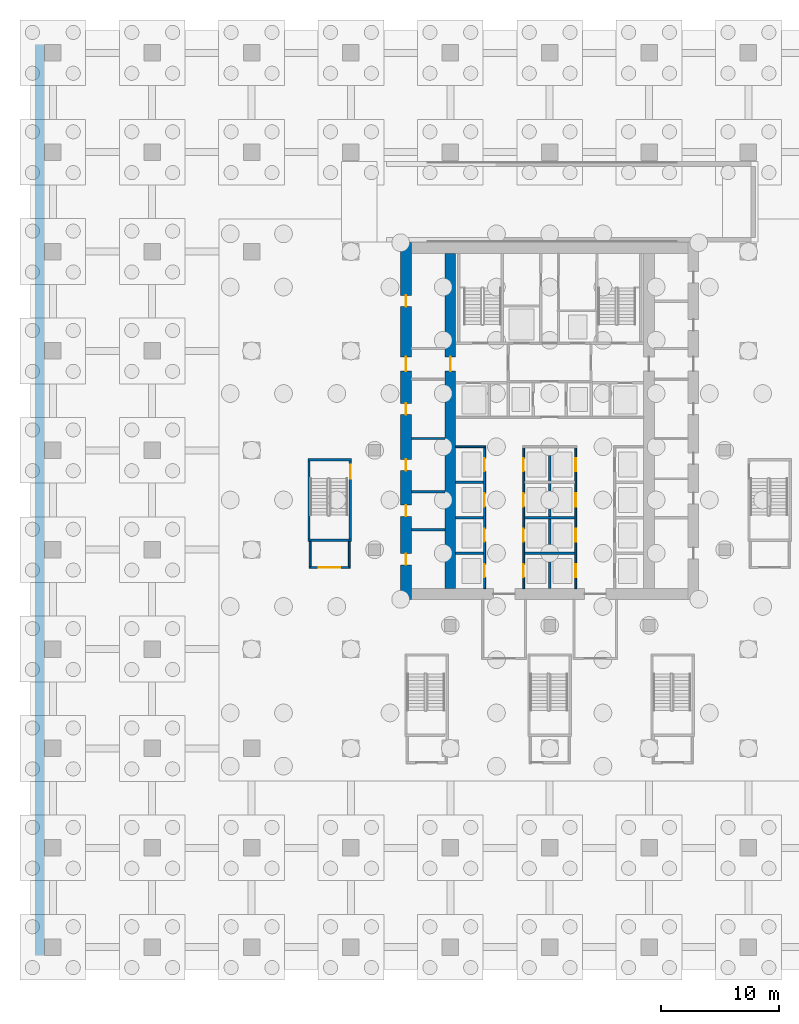
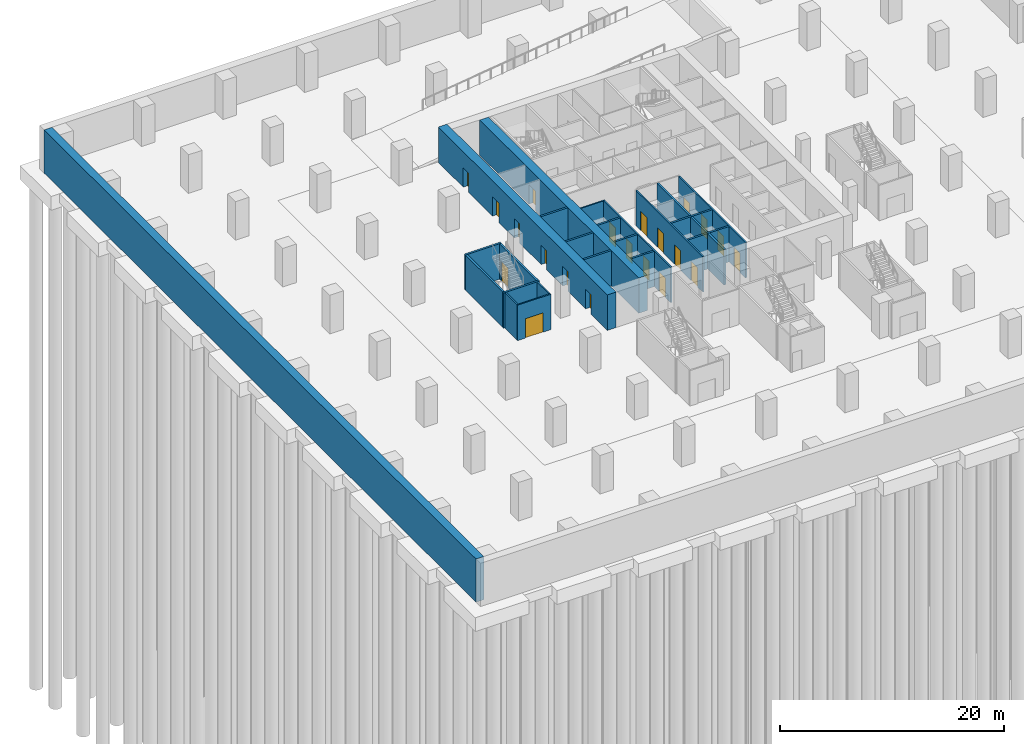
# One storey, part 10 of 22: 23 walls, 21 doors, 21 openings.
"""IFC4 building model written with IfcOpenShell, lengths in metres."""

from ifc_helpers import new_model, si_unit, direction, frame, frame_2d, origin, place, context, subcontext, project, spatial, rectangle, extrude, material, layer, layer_set, type_object, element, fill, save


model = new_model("IFC4")

# Units and contexts
model_context = context("Model", 3, precision=1e-05, world=origin(), true_north=direction((0.0, 1.0)))
body_context = subcontext(model_context, "Body", "Model", "MODEL_VIEW")
ifc_project = project(units=[si_unit("LENGTHUNIT", "METRE"), si_unit("AREAUNIT", "SQUARE_METRE"), si_unit("VOLUMEUNIT", "CUBIC_METRE"), si_unit("PLANEANGLEUNIT", "RADIAN"), si_unit("MASSUNIT", "GRAM", prefix="KILO")], contexts=[model_context])

# Site, building, storey
site_placement = place(None, origin())
site = spatial("IfcSite", under=ifc_project, at=site_placement, CompositionType="ELEMENT")
building_placement = place(site_placement, origin())
building = spatial("IfcBuilding", under=site, at=building_placement, Name="Vermilion Ogive Tower", CompositionType="ELEMENT")
storey_placement = place(building_placement, frame((0.0, 0.0, -8.39990234375)))
storey = spatial("IfcBuildingStorey", under=building, at=storey_placement, Name="B2", CompositionType="ELEMENT", Elevation=-8.39990234375)

# Wall
ifc_material_1 = material(Name="Concrete B45", Category="concrete")
ifc_layer_1 = layer(ifc_material_1, 0.800048828125)
ifc_layer_set_1 = layer_set([ifc_layer_1], Name="Basement wall RW800")
wall_type_1 = type_object("IfcWallType", Name="Basement wall RW800", PredefinedType="SOLIDWALL", material=ifc_layer_set_1)
wall_1_placement = place(storey_placement, frame((-43.10009765625, -38.5, -0.5), z_axis=(0.0, 0.0, 1.0), x_axis=(0.0, 1.0, 0.0)))
element("IfcWall", 1, at=wall_1_placement, inside=storey, type_object=wall_type_1, Name="Retaining wall B2 W", PredefinedType="SOLIDWALL", context=body_context, shape_type="SweptSolid", body=[
    extrude(rectangle(XDim=77.0, YDim=0.800048828125, at=frame_2d((38.5, 0.0))), origin(), (0.0, 0.0, 1.0), 4.699951171875),
])

# Wall, openings, doors
ifc_material_2 = material(Name="Concrete B80", Category="concrete")
ifc_layer_2 = layer(ifc_material_2, 0.89990234375)
ifc_layer_set_2 = layer_set([ifc_layer_2], Name="Core wall 900 B80")
wall_type_2 = type_object("IfcWallType", Name="Core wall 900 B80", PredefinedType="SHEAR", material=ifc_layer_set_2)
wall_2_placement = place(storey_placement, frame((-12.14990234375, -8.39990234375, 0.0), z_axis=(0.0, 0.0, 1.0), x_axis=(0.0, 1.0, 0.0)))
wall_2 = element("IfcWall", 2, at=wall_2_placement, inside=storey, type_object=wall_type_2, Name="B2-CORE-W", PredefinedType="SHEAR", context=body_context, shape_type="SweptSolid", body=[
    extrude(rectangle(XDim=30.14990234375, YDim=0.89990234375, at=frame_2d((15.074951171875, 0.0))), origin(), (0.0, 0.0, 1.0), 3.849853515625),
])
opening_1_placement = place(wall_2_placement, frame((2.925048828125, 0.0, 0.0)))
opening_1 = element("IfcOpeningElement", 3, at=opening_1_placement, cuts=wall_2, Name="Opening DAV007", PredefinedType="OPENING", context=body_context, shape_type="SweptSolid", body=[
    extrude(rectangle(XDim=0.949951171875, YDim=2.10009765625, at=frame_2d((0.47509765625, 1.050048828125))), frame((0.0, 0.4599609375, 0.0), z_axis=(0.0, -1.0, 0.0), x_axis=(1.0, 0.0, 0.0)), (0.0, 0.0, 1.0), 0.919921875),
])
opening_2_placement = place(wall_2_placement, frame((7.02490234375, 0.0, 0.0)))
opening_2 = element("IfcOpeningElement", 4, at=opening_2_placement, cuts=wall_2, Name="Opening DAV008", PredefinedType="OPENING", context=body_context, shape_type="SweptSolid", body=[
    extrude(rectangle(XDim=0.949951171875, YDim=2.10009765625, at=frame_2d((0.47509765625, 1.050048828125))), frame((0.0, 0.4599609375, 0.0), z_axis=(0.0, -1.0, 0.0), x_axis=(1.0, 0.0, 0.0)), (0.0, 0.0, 1.0), 0.919921875),
])
opening_3_placement = place(wall_2_placement, frame((10.875, 0.0, 0.0)))
opening_3 = element("IfcOpeningElement", 5, at=opening_3_placement, cuts=wall_2, Name="Opening DAV009", PredefinedType="OPENING", context=body_context, shape_type="SweptSolid", body=[
    extrude(rectangle(XDim=0.949951171875, YDim=2.10009765625, at=frame_2d((0.47509765625, 1.050048828125))), frame((0.0, 0.4599609375, 0.0), z_axis=(0.0, -1.0, 0.0), x_axis=(1.0, 0.0, 0.0)), (0.0, 0.0, 1.0), 0.919921875),
])
opening_4_placement = place(wall_2_placement, frame((15.625, 0.0, 0.0)))
opening_4 = element("IfcOpeningElement", 6, at=opening_4_placement, cuts=wall_2, Name="Opening DAV010", PredefinedType="OPENING", context=body_context, shape_type="SweptSolid", body=[
    extrude(rectangle(XDim=0.949951171875, YDim=2.10009765625, at=frame_2d((0.47509765625, 1.050048828125))), frame((0.0, 0.4599609375, 0.0), z_axis=(0.0, -1.0, 0.0), x_axis=(1.0, 0.0, 0.0)), (0.0, 0.0, 1.0), 0.919921875),
])
opening_5_placement = place(wall_2_placement, frame((24.75, 0.0, 0.0)))
opening_5 = element("IfcOpeningElement", 7, at=opening_5_placement, cuts=wall_2, Name="Opening DAV011", PredefinedType="OPENING", context=body_context, shape_type="SweptSolid", body=[
    extrude(rectangle(XDim=0.949951171875, YDim=2.10009765625, at=frame_2d((0.47509765625, 1.050048828125))), frame((0.0, 0.4599609375, 0.0), z_axis=(0.0, -1.0, 0.0), x_axis=(1.0, 0.0, 0.0)), (0.0, 0.0, 1.0), 0.919921875),
])
opening_6_placement = place(wall_2_placement, frame((19.300048828125, 0.0, 0.0)))
opening_6 = element("IfcOpeningElement", 8, at=opening_6_placement, cuts=wall_2, Name="Opening DBO002", PredefinedType="OPENING", context=body_context, shape_type="SweptSolid", body=[
    extrude(rectangle(XDim=1.199951171875, YDim=2.10009765625, at=frame_2d((0.60009765625, 1.050048828125))), frame((0.0, 0.4599609375, 0.0), z_axis=(0.0, -1.0, 0.0), x_axis=(1.0, 0.0, 0.0)), (0.0, 0.0, 1.0), 0.919921875),
])
ifc_material_3 = material(Name="Timber door leaf", Category="wood")
door_type_1 = type_object("IfcDoorType", Name="Link door 1200 x 2100 FD60S", OperationType="SINGLE_SWING_LEFT", PredefinedType="DOOR", material=ifc_material_3)
door_1_placement = place(opening_6_placement, origin())
door_1 = element("IfcDoor", 9, at=door_1_placement, inside=storey, type_object=door_type_1, Name="B2-CKW-XL", OperationType="SINGLE_SWING_LEFT", OverallHeight=2.10009765625, OverallWidth=1.199951171875, PredefinedType="DOOR", context=body_context, shape_type="SweptSolid", body=[
    extrude(rectangle(XDim=1.199951171875, YDim=2.10009765625, at=frame_2d((0.60009765625, 1.050048828125))), frame((0.0, 0.02490234375, 0.0), z_axis=(0.0, -1.0, 0.0), x_axis=(1.0, 0.0, 0.0)), (0.0, 0.0, 1.0), 0.050048828125),
])
fill(opening_6, door_1)
ifc_material_4 = material(Name="Timber door leaf", Category="wood")
door_type_2 = type_object("IfcDoorType", Name="Service door 950 x 2100 FD60", OperationType="SINGLE_SWING_LEFT", PredefinedType="DOOR", material=ifc_material_4)
door_2_placement = place(opening_1_placement, origin())
door_2 = element("IfcDoor", 10, at=door_2_placement, inside=storey, type_object=door_type_2, Name="B2-CKW-XR0", OperationType="SINGLE_SWING_LEFT", OverallHeight=2.10009765625, OverallWidth=0.949951171875, PredefinedType="DOOR", context=body_context, shape_type="SweptSolid", body=[
    extrude(rectangle(XDim=0.949951171875, YDim=2.10009765625, at=frame_2d((0.47509765625, 1.050048828125))), frame((0.0, 0.02490234375, 0.0), z_axis=(0.0, -1.0, 0.0), x_axis=(1.0, 0.0, 0.0)), (0.0, 0.0, 1.0), 0.050048828125),
])
fill(opening_1, door_2)
door_3_placement = place(opening_2_placement, origin())
door_3 = element("IfcDoor", 11, at=door_3_placement, inside=storey, type_object=door_type_2, Name="B2-CKW-XR1", OperationType="SINGLE_SWING_LEFT", OverallHeight=2.10009765625, OverallWidth=0.949951171875, PredefinedType="DOOR", context=body_context, shape_type="SweptSolid", body=[
    extrude(rectangle(XDim=0.949951171875, YDim=2.10009765625, at=frame_2d((0.47509765625, 1.050048828125))), frame((0.0, 0.02490234375, 0.0), z_axis=(0.0, -1.0, 0.0), x_axis=(1.0, 0.0, 0.0)), (0.0, 0.0, 1.0), 0.050048828125),
])
fill(opening_2, door_3)
door_4_placement = place(opening_3_placement, origin())
door_4 = element("IfcDoor", 12, at=door_4_placement, inside=storey, type_object=door_type_2, Name="B2-CKW-XR2", OperationType="SINGLE_SWING_LEFT", OverallHeight=2.10009765625, OverallWidth=0.949951171875, PredefinedType="DOOR", context=body_context, shape_type="SweptSolid", body=[
    extrude(rectangle(XDim=0.949951171875, YDim=2.10009765625, at=frame_2d((0.47509765625, 1.050048828125))), frame((0.0, 0.02490234375, 0.0), z_axis=(0.0, -1.0, 0.0), x_axis=(1.0, 0.0, 0.0)), (0.0, 0.0, 1.0), 0.050048828125),
])
fill(opening_3, door_4)
door_5_placement = place(opening_4_placement, origin())
door_5 = element("IfcDoor", 13, at=door_5_placement, inside=storey, type_object=door_type_2, Name="B2-CKW-XR3", OperationType="SINGLE_SWING_LEFT", OverallHeight=2.10009765625, OverallWidth=0.949951171875, PredefinedType="DOOR", context=body_context, shape_type="SweptSolid", body=[
    extrude(rectangle(XDim=0.949951171875, YDim=2.10009765625, at=frame_2d((0.47509765625, 1.050048828125))), frame((0.0, 0.02490234375, 0.0), z_axis=(0.0, -1.0, 0.0), x_axis=(1.0, 0.0, 0.0)), (0.0, 0.0, 1.0), 0.050048828125),
])
fill(opening_4, door_5)
door_6_placement = place(opening_5_placement, origin())
door_6 = element("IfcDoor", 14, at=door_6_placement, inside=storey, type_object=door_type_2, Name="B2-CKW-XR4", OperationType="SINGLE_SWING_LEFT", OverallHeight=2.10009765625, OverallWidth=0.949951171875, PredefinedType="DOOR", context=body_context, shape_type="SweptSolid", body=[
    extrude(rectangle(XDim=0.949951171875, YDim=2.10009765625, at=frame_2d((0.47509765625, 1.050048828125))), frame((0.0, 0.02490234375, 0.0), z_axis=(0.0, -1.0, 0.0), x_axis=(1.0, 0.0, 0.0)), (0.0, 0.0, 1.0), 0.050048828125),
])
fill(opening_5, door_6)

# Wall, opening, door
wall_3_placement = place(storey_placement, frame((-8.39990234375, -7.5, 0.0), z_axis=(0.0, 0.0, 1.0), x_axis=(0.0, 1.0, 0.0)))
wall_3 = element("IfcWall", 15, at=wall_3_placement, inside=storey, type_object=wall_type_2, Name="B2-CORE-WEB1", PredefinedType="SHEAR", context=body_context, shape_type="SweptSolid", body=[
    extrude(rectangle(XDim=28.35009765625, YDim=0.89990234375, at=frame_2d((14.175048828125, 0.0))), origin(), (0.0, 0.0, 1.0), 3.849853515625),
])
opening_7_placement = place(wall_3_placement, frame((18.39990234375, 0.0, 0.0)))
opening_7 = element("IfcOpeningElement", 16, at=opening_7_placement, cuts=wall_3, Name="Opening DBQ002", PredefinedType="OPENING", context=body_context, shape_type="SweptSolid", body=[
    extrude(rectangle(XDim=1.199951171875, YDim=2.10009765625, at=frame_2d((0.60009765625, 1.050048828125))), frame((0.0, 0.4599609375, 0.0), z_axis=(0.0, -1.0, 0.0), x_axis=(1.0, 0.0, 0.0)), (0.0, 0.0, 1.0), 0.919921875),
])
door_7_placement = place(opening_7_placement, origin())
door_7 = element("IfcDoor", 17, at=door_7_placement, inside=storey, type_object=door_type_1, Name="B2-CKW-XW", OperationType="SINGLE_SWING_LEFT", OverallHeight=2.10009765625, OverallWidth=1.199951171875, PredefinedType="DOOR", context=body_context, shape_type="SweptSolid", body=[
    extrude(rectangle(XDim=1.199951171875, YDim=2.10009765625, at=frame_2d((0.60009765625, 1.050048828125))), frame((0.0, 0.02490234375, 0.0), z_axis=(0.0, -1.0, 0.0), x_axis=(1.0, 0.0, 0.0)), (0.0, 0.0, 1.0), 0.050048828125),
])
fill(opening_7, door_7)

ifc_material_5 = material(Name="Gypsum board partition on steel studs", Category="steel")
ifc_layer_3 = layer(ifc_material_5, 0.14990234375)
ifc_layer_set_3 = layer_set([ifc_layer_3], Name="Partition 150 corridor")
wall_type_3 = type_object("IfcWallType", Name="Partition 150 corridor", PredefinedType="PARTITIONING", material=ifc_layer_set_3)
wall_4_placement = place(storey_placement, frame((-20.324951171875, -5.699951171875, 0.0), z_axis=(0.0, 0.0, 1.0), x_axis=(1.0, 0.0, 0.0)))
wall_4 = element("IfcWall", 18, at=wall_4_placement, inside=storey, type_object=wall_type_3, Name="B2-PK-W-W017", PredefinedType="PARTITIONING", context=body_context, shape_type="SweptSolid", body=[
    extrude(rectangle(XDim=3.449951171875, YDim=0.14990234375, at=frame_2d((1.72509765625, 0.0))), origin(), (0.0, 0.0, 1.0), 3.849853515625),
])
opening_8_placement = place(wall_4_placement, frame((0.824951171875, 0.0, 0.0)))
opening_8 = element("IfcOpeningElement", 19, at=opening_8_placement, cuts=wall_4, Name="Opening PK2-07", PredefinedType="OPENING", context=body_context, shape_type="SweptSolid", body=[
    extrude(rectangle(XDim=1.800048828125, YDim=2.10009765625, at=frame_2d((0.89990234375, 1.050048828125))), frame((0.0, 0.0849609375, 0.0), z_axis=(0.0, -1.0, 0.0), x_axis=(1.0, 0.0, 0.0)), (0.0, 0.0, 1.0), 0.169921875),
])
ifc_material_6 = material(Name="Timber door leaf", Category="wood")
door_type_3 = type_object("IfcDoorType", Name="Lobby door 1800 x 2100 FD60S", OperationType="DOUBLE_DOOR_SINGLE_SWING", PredefinedType="DOOR", material=ifc_material_6)
door_8_placement = place(opening_8_placement, origin())
door_8 = element("IfcDoor", 20, at=door_8_placement, inside=storey, type_object=door_type_3, Name="B2-PK-D-D007", OperationType="DOUBLE_DOOR_SINGLE_SWING", OverallHeight=2.10009765625, OverallWidth=1.800048828125, PredefinedType="DOOR", context=body_context, shape_type="SweptSolid", body=[
    extrude(rectangle(XDim=1.800048828125, YDim=2.10009765625, at=frame_2d((0.89990234375, 1.050048828125))), frame((0.0, 0.02490234375, 0.0), z_axis=(0.0, -1.0, 0.0), x_axis=(1.0, 0.0, 0.0)), (0.0, 0.0, 1.0), 0.050048828125),
])
fill(opening_8, door_8)

# Walls
for number, where, z_axis, x_axis, name in (
    (21, (-20.25, -5.625, 0.0), (0.0, 0.0, 1.0), (0.0, 1.0, 0.0), "B2-PK-W-W037"),
    (22, (-16.949951171875, -5.625, 0.0), (0.0, 0.0, 1.0), (0.0, 1.0, 0.0), "B2-PK-W-W038"),
):
    element("IfcWall", number, at=place(storey_placement, frame(where, z_axis=z_axis, x_axis=x_axis)), inside=storey, type_object=wall_type_3, Name=name, PredefinedType="PARTITIONING", context=body_context, shape_type="SweptSolid", body=[
        extrude(rectangle(XDim=2.125, YDim=0.14990234375, at=frame_2d((1.0625, 0.0))), origin(), (0.0, 0.0, 1.0), 3.849853515625),
    ])
wall_5_placement = place(storey_placement, frame((-7.948974609375, 4.5, 0.0), z_axis=(0.0, 0.0, 1.0), x_axis=(1.0, 0.0, 0.0)))
element("IfcWall", 23, at=wall_5_placement, inside=storey, type_object=wall_type_3, Name="B2-CK-W-W010", PredefinedType="PARTITIONING", context=body_context, shape_type="SweptSolid", body=[
    extrude(rectangle(XDim=2.52392578125, YDim=0.14990234375, at=frame_2d((1.261962890625, 0.0))), origin(), (0.0, 0.0, 1.0), 3.849853515625),
])

# Wall, openings, doors
wall_6_placement = place(storey_placement, frame((-5.5, -7.4990234375, 0.0), z_axis=(0.0, 0.0, 1.0), x_axis=(0.0, 1.0, 0.0)))
wall_6 = element("IfcWall", 24, at=wall_6_placement, inside=storey, type_object=wall_type_3, Name="B2-CK-W-W022", PredefinedType="PARTITIONING", context=body_context, shape_type="SweptSolid", body=[
    extrude(rectangle(XDim=11.924072265625, YDim=0.14990234375, at=frame_2d((5.9619140625, 0.0))), origin(), (0.0, 0.0, 1.0), 3.849853515625),
])
opening_9_placement = place(wall_6_placement, frame((0.948974609375, 0.0, 0.0)))
opening_9 = element("IfcOpeningElement", 25, at=opening_9_placement, cuts=wall_6, Name="Opening DAG039", PredefinedType="OPENING", context=body_context, shape_type="SweptSolid", body=[
    extrude(rectangle(XDim=1.10009765625, YDim=2.10009765625, at=frame_2d((0.550048828125, 1.050048828125))), frame((0.0, 0.0849609375, 0.0), z_axis=(0.0, -1.0, 0.0), x_axis=(1.0, 0.0, 0.0)), (0.0, 0.0, 1.0), 0.169921875),
])
opening_10_placement = place(wall_6_placement, frame((3.948974609375, 0.0, 0.0)))
opening_10 = element("IfcOpeningElement", 26, at=opening_10_placement, cuts=wall_6, Name="Opening DAG050", PredefinedType="OPENING", context=body_context, shape_type="SweptSolid", body=[
    extrude(rectangle(XDim=1.10009765625, YDim=2.10009765625, at=frame_2d((0.550048828125, 1.050048828125))), frame((0.0, 0.0849609375, 0.0), z_axis=(0.0, -1.0, 0.0), x_axis=(1.0, 0.0, 0.0)), (0.0, 0.0, 1.0), 0.169921875),
])
opening_11_placement = place(wall_6_placement, frame((6.948974609375, 0.0, 0.0)))
opening_11 = element("IfcOpeningElement", 27, at=opening_11_placement, cuts=wall_6, Name="Opening DAG053", PredefinedType="OPENING", context=body_context, shape_type="SweptSolid", body=[
    extrude(rectangle(XDim=1.10009765625, YDim=2.10009765625, at=frame_2d((0.550048828125, 1.050048828125))), frame((0.0, 0.0849609375, 0.0), z_axis=(0.0, -1.0, 0.0), x_axis=(1.0, 0.0, 0.0)), (0.0, 0.0, 1.0), 0.169921875),
])
opening_12_placement = place(wall_6_placement, frame((9.948974609375, 0.0, 0.0)))
opening_12 = element("IfcOpeningElement", 28, at=opening_12_placement, cuts=wall_6, Name="Opening DAG054", PredefinedType="OPENING", context=body_context, shape_type="SweptSolid", body=[
    extrude(rectangle(XDim=1.10009765625, YDim=2.10009765625, at=frame_2d((0.550048828125, 1.050048828125))), frame((0.0, 0.0849609375, 0.0), z_axis=(0.0, -1.0, 0.0), x_axis=(1.0, 0.0, 0.0)), (0.0, 0.0, 1.0), 0.169921875),
])
ifc_material_7 = material(Name="Stainless steel", Category="steel")
door_type_4 = type_object("IfcDoorType", Name="Lift landing door 1100 x 2100", OperationType="SLIDING_TO_LEFT", PredefinedType="DOOR", material=ifc_material_7)
door_9_placement = place(opening_9_placement, origin())
door_9 = element("IfcDoor", 29, at=door_9_placement, inside=storey, type_object=door_type_4, Name="B2-CK-D-D001", OperationType="SLIDING_TO_RIGHT", OverallHeight=2.10009765625, OverallWidth=1.10009765625, PredefinedType="DOOR", context=body_context, shape_type="SweptSolid", body=[
    extrude(rectangle(XDim=1.10009765625, YDim=2.10009765625, at=frame_2d((0.550048828125, 1.050048828125))), frame((0.0, 0.02490234375, 0.0), z_axis=(0.0, -1.0, 0.0), x_axis=(1.0, 0.0, 0.0)), (0.0, 0.0, 1.0), 0.050048828125),
])
fill(opening_9, door_9)
door_10_placement = place(opening_10_placement, origin())
door_10 = element("IfcDoor", 30, at=door_10_placement, inside=storey, type_object=door_type_4, Name="B2-CK-D-D002", OperationType="SLIDING_TO_RIGHT", OverallHeight=2.10009765625, OverallWidth=1.10009765625, PredefinedType="DOOR", context=body_context, shape_type="SweptSolid", body=[
    extrude(rectangle(XDim=1.10009765625, YDim=2.10009765625, at=frame_2d((0.550048828125, 1.050048828125))), frame((0.0, 0.02490234375, 0.0), z_axis=(0.0, -1.0, 0.0), x_axis=(1.0, 0.0, 0.0)), (0.0, 0.0, 1.0), 0.050048828125),
])
fill(opening_10, door_10)
door_11_placement = place(opening_11_placement, origin())
door_11 = element("IfcDoor", 31, at=door_11_placement, inside=storey, type_object=door_type_4, Name="B2-CK-D-D003", OperationType="SLIDING_TO_RIGHT", OverallHeight=2.10009765625, OverallWidth=1.10009765625, PredefinedType="DOOR", context=body_context, shape_type="SweptSolid", body=[
    extrude(rectangle(XDim=1.10009765625, YDim=2.10009765625, at=frame_2d((0.550048828125, 1.050048828125))), frame((0.0, 0.02490234375, 0.0), z_axis=(0.0, -1.0, 0.0), x_axis=(1.0, 0.0, 0.0)), (0.0, 0.0, 1.0), 0.050048828125),
])
fill(opening_11, door_11)
door_12_placement = place(opening_12_placement, origin())
door_12 = element("IfcDoor", 32, at=door_12_placement, inside=storey, type_object=door_type_4, Name="B2-CK-D-D004", OperationType="SLIDING_TO_RIGHT", OverallHeight=2.10009765625, OverallWidth=1.10009765625, PredefinedType="DOOR", context=body_context, shape_type="SweptSolid", body=[
    extrude(rectangle(XDim=1.10009765625, YDim=2.10009765625, at=frame_2d((0.550048828125, 1.050048828125))), frame((0.0, 0.02490234375, 0.0), z_axis=(0.0, -1.0, 0.0), x_axis=(1.0, 0.0, 0.0)), (0.0, 0.0, 1.0), 0.050048828125),
])
fill(opening_12, door_12)

wall_7_placement = place(storey_placement, frame((-2.199951171875, -7.4990234375, 0.0), z_axis=(0.0, 0.0, 1.0), x_axis=(0.0, 1.0, 0.0)))
wall_7 = element("IfcWall", 33, at=wall_7_placement, inside=storey, type_object=wall_type_3, Name="B2-CK-W-W027", PredefinedType="PARTITIONING", context=body_context, shape_type="SweptSolid", body=[
    extrude(rectangle(XDim=11.924072265625, YDim=0.14990234375, at=frame_2d((5.9619140625, 0.0))), origin(), (0.0, 0.0, 1.0), 3.849853515625),
])
opening_13_placement = place(wall_7_placement, frame((0.948974609375, 0.0, 0.0)))
opening_13 = element("IfcOpeningElement", 34, at=opening_13_placement, cuts=wall_7, Name="Opening DAG055", PredefinedType="OPENING", context=body_context, shape_type="SweptSolid", body=[
    extrude(rectangle(XDim=1.10009765625, YDim=2.10009765625, at=frame_2d((0.550048828125, 1.050048828125))), frame((0.0, 0.0849609375, 0.0), z_axis=(0.0, -1.0, 0.0), x_axis=(1.0, 0.0, 0.0)), (0.0, 0.0, 1.0), 0.169921875),
])
opening_14_placement = place(wall_7_placement, frame((3.948974609375, 0.0, 0.0)))
opening_14 = element("IfcOpeningElement", 35, at=opening_14_placement, cuts=wall_7, Name="Opening DAG056", PredefinedType="OPENING", context=body_context, shape_type="SweptSolid", body=[
    extrude(rectangle(XDim=1.10009765625, YDim=2.10009765625, at=frame_2d((0.550048828125, 1.050048828125))), frame((0.0, 0.0849609375, 0.0), z_axis=(0.0, -1.0, 0.0), x_axis=(1.0, 0.0, 0.0)), (0.0, 0.0, 1.0), 0.169921875),
])
opening_15_placement = place(wall_7_placement, frame((6.948974609375, 0.0, 0.0)))
opening_15 = element("IfcOpeningElement", 36, at=opening_15_placement, cuts=wall_7, Name="Opening DAG057", PredefinedType="OPENING", context=body_context, shape_type="SweptSolid", body=[
    extrude(rectangle(XDim=1.10009765625, YDim=2.10009765625, at=frame_2d((0.550048828125, 1.050048828125))), frame((0.0, 0.0849609375, 0.0), z_axis=(0.0, -1.0, 0.0), x_axis=(1.0, 0.0, 0.0)), (0.0, 0.0, 1.0), 0.169921875),
])
opening_16_placement = place(wall_7_placement, frame((9.948974609375, 0.0, 0.0)))
opening_16 = element("IfcOpeningElement", 37, at=opening_16_placement, cuts=wall_7, Name="Opening DAG058", PredefinedType="OPENING", context=body_context, shape_type="SweptSolid", body=[
    extrude(rectangle(XDim=1.10009765625, YDim=2.10009765625, at=frame_2d((0.550048828125, 1.050048828125))), frame((0.0, 0.0849609375, 0.0), z_axis=(0.0, -1.0, 0.0), x_axis=(1.0, 0.0, 0.0)), (0.0, 0.0, 1.0), 0.169921875),
])
door_13_placement = place(opening_13_placement, origin())
door_13 = element("IfcDoor", 38, at=door_13_placement, inside=storey, type_object=door_type_4, Name="B2-CK-D-D005", OperationType="SLIDING_TO_RIGHT", OverallHeight=2.10009765625, OverallWidth=1.10009765625, PredefinedType="DOOR", context=body_context, shape_type="SweptSolid", body=[
    extrude(rectangle(XDim=1.10009765625, YDim=2.10009765625, at=frame_2d((0.550048828125, 1.050048828125))), frame((0.0, 0.02490234375, 0.0), z_axis=(0.0, -1.0, 0.0), x_axis=(1.0, 0.0, 0.0)), (0.0, 0.0, 1.0), 0.050048828125),
])
fill(opening_13, door_13)
door_14_placement = place(opening_14_placement, origin())
door_14 = element("IfcDoor", 39, at=door_14_placement, inside=storey, type_object=door_type_4, Name="B2-CK-D-D006", OperationType="SLIDING_TO_RIGHT", OverallHeight=2.10009765625, OverallWidth=1.10009765625, PredefinedType="DOOR", context=body_context, shape_type="SweptSolid", body=[
    extrude(rectangle(XDim=1.10009765625, YDim=2.10009765625, at=frame_2d((0.550048828125, 1.050048828125))), frame((0.0, 0.02490234375, 0.0), z_axis=(0.0, -1.0, 0.0), x_axis=(1.0, 0.0, 0.0)), (0.0, 0.0, 1.0), 0.050048828125),
])
fill(opening_14, door_14)
door_15_placement = place(opening_15_placement, origin())
door_15 = element("IfcDoor", 40, at=door_15_placement, inside=storey, type_object=door_type_4, Name="B2-CK-D-D007", OperationType="SLIDING_TO_RIGHT", OverallHeight=2.10009765625, OverallWidth=1.10009765625, PredefinedType="DOOR", context=body_context, shape_type="SweptSolid", body=[
    extrude(rectangle(XDim=1.10009765625, YDim=2.10009765625, at=frame_2d((0.550048828125, 1.050048828125))), frame((0.0, 0.02490234375, 0.0), z_axis=(0.0, -1.0, 0.0), x_axis=(1.0, 0.0, 0.0)), (0.0, 0.0, 1.0), 0.050048828125),
])
fill(opening_15, door_15)
door_16_placement = place(opening_16_placement, origin())
door_16 = element("IfcDoor", 41, at=door_16_placement, inside=storey, type_object=door_type_4, Name="B2-CK-D-D008", OperationType="SLIDING_TO_RIGHT", OverallHeight=2.10009765625, OverallWidth=1.10009765625, PredefinedType="DOOR", context=body_context, shape_type="SweptSolid", body=[
    extrude(rectangle(XDim=1.10009765625, YDim=2.10009765625, at=frame_2d((0.550048828125, 1.050048828125))), frame((0.0, 0.02490234375, 0.0), z_axis=(0.0, -1.0, 0.0), x_axis=(1.0, 0.0, 0.0)), (0.0, 0.0, 1.0), 0.050048828125),
])
fill(opening_16, door_16)

wall_8_placement = place(storey_placement, frame((2.199951171875, -7.4990234375, 0.0), z_axis=(0.0, 0.0, 1.0), x_axis=(0.0, 1.0, 0.0)))
wall_8 = element("IfcWall", 42, at=wall_8_placement, inside=storey, type_object=wall_type_3, Name="B2-CK-W-W034", PredefinedType="PARTITIONING", context=body_context, shape_type="SweptSolid", body=[
    extrude(rectangle(XDim=11.924072265625, YDim=0.14990234375, at=frame_2d((5.9619140625, 0.0))), origin(), (0.0, 0.0, 1.0), 3.849853515625),
])
opening_17_placement = place(wall_8_placement, frame((0.948974609375, 0.0, 0.0)))
opening_17 = element("IfcOpeningElement", 43, at=opening_17_placement, cuts=wall_8, Name="Opening DAG059", PredefinedType="OPENING", context=body_context, shape_type="SweptSolid", body=[
    extrude(rectangle(XDim=1.10009765625, YDim=2.10009765625, at=frame_2d((0.550048828125, 1.050048828125))), frame((0.0, 0.0849609375, 0.0), z_axis=(0.0, -1.0, 0.0), x_axis=(1.0, 0.0, 0.0)), (0.0, 0.0, 1.0), 0.169921875),
])
opening_18_placement = place(wall_8_placement, frame((3.948974609375, 0.0, 0.0)))
opening_18 = element("IfcOpeningElement", 44, at=opening_18_placement, cuts=wall_8, Name="Opening DAG040", PredefinedType="OPENING", context=body_context, shape_type="SweptSolid", body=[
    extrude(rectangle(XDim=1.10009765625, YDim=2.10009765625, at=frame_2d((0.550048828125, 1.050048828125))), frame((0.0, 0.0849609375, 0.0), z_axis=(0.0, -1.0, 0.0), x_axis=(1.0, 0.0, 0.0)), (0.0, 0.0, 1.0), 0.169921875),
])
opening_19_placement = place(wall_8_placement, frame((6.948974609375, 0.0, 0.0)))
opening_19 = element("IfcOpeningElement", 45, at=opening_19_placement, cuts=wall_8, Name="Opening DAG041", PredefinedType="OPENING", context=body_context, shape_type="SweptSolid", body=[
    extrude(rectangle(XDim=1.10009765625, YDim=2.10009765625, at=frame_2d((0.550048828125, 1.050048828125))), frame((0.0, 0.0849609375, 0.0), z_axis=(0.0, -1.0, 0.0), x_axis=(1.0, 0.0, 0.0)), (0.0, 0.0, 1.0), 0.169921875),
])
opening_20_placement = place(wall_8_placement, frame((9.948974609375, 0.0, 0.0)))
opening_20 = element("IfcOpeningElement", 46, at=opening_20_placement, cuts=wall_8, Name="Opening DAG042", PredefinedType="OPENING", context=body_context, shape_type="SweptSolid", body=[
    extrude(rectangle(XDim=1.10009765625, YDim=2.10009765625, at=frame_2d((0.550048828125, 1.050048828125))), frame((0.0, 0.0849609375, 0.0), z_axis=(0.0, -1.0, 0.0), x_axis=(1.0, 0.0, 0.0)), (0.0, 0.0, 1.0), 0.169921875),
])
door_17_placement = place(opening_17_placement, origin())
door_17 = element("IfcDoor", 47, at=door_17_placement, inside=storey, type_object=door_type_4, Name="B2-CK-D-D009", OperationType="SLIDING_TO_RIGHT", OverallHeight=2.10009765625, OverallWidth=1.10009765625, PredefinedType="DOOR", context=body_context, shape_type="SweptSolid", body=[
    extrude(rectangle(XDim=1.10009765625, YDim=2.10009765625, at=frame_2d((0.550048828125, 1.050048828125))), frame((0.0, 0.02490234375, 0.0), z_axis=(0.0, -1.0, 0.0), x_axis=(1.0, 0.0, 0.0)), (0.0, 0.0, 1.0), 0.050048828125),
])
fill(opening_17, door_17)
door_18_placement = place(opening_18_placement, origin())
door_18 = element("IfcDoor", 48, at=door_18_placement, inside=storey, type_object=door_type_4, Name="B2-CK-D-D010", OperationType="SLIDING_TO_RIGHT", OverallHeight=2.10009765625, OverallWidth=1.10009765625, PredefinedType="DOOR", context=body_context, shape_type="SweptSolid", body=[
    extrude(rectangle(XDim=1.10009765625, YDim=2.10009765625, at=frame_2d((0.550048828125, 1.050048828125))), frame((0.0, 0.02490234375, 0.0), z_axis=(0.0, -1.0, 0.0), x_axis=(1.0, 0.0, 0.0)), (0.0, 0.0, 1.0), 0.050048828125),
])
fill(opening_18, door_18)
door_19_placement = place(opening_19_placement, origin())
door_19 = element("IfcDoor", 49, at=door_19_placement, inside=storey, type_object=door_type_4, Name="B2-CK-D-D011", OperationType="SLIDING_TO_RIGHT", OverallHeight=2.10009765625, OverallWidth=1.10009765625, PredefinedType="DOOR", context=body_context, shape_type="SweptSolid", body=[
    extrude(rectangle(XDim=1.10009765625, YDim=2.10009765625, at=frame_2d((0.550048828125, 1.050048828125))), frame((0.0, 0.02490234375, 0.0), z_axis=(0.0, -1.0, 0.0), x_axis=(1.0, 0.0, 0.0)), (0.0, 0.0, 1.0), 0.050048828125),
])
fill(opening_19, door_19)
door_20_placement = place(opening_20_placement, origin())
door_20 = element("IfcDoor", 50, at=door_20_placement, inside=storey, type_object=door_type_4, Name="B2-CK-D-D012", OperationType="SLIDING_TO_RIGHT", OverallHeight=2.10009765625, OverallWidth=1.10009765625, PredefinedType="DOOR", context=body_context, shape_type="SweptSolid", body=[
    extrude(rectangle(XDim=1.10009765625, YDim=2.10009765625, at=frame_2d((0.550048828125, 1.050048828125))), frame((0.0, 0.02490234375, 0.0), z_axis=(0.0, -1.0, 0.0), x_axis=(1.0, 0.0, 0.0)), (0.0, 0.0, 1.0), 0.050048828125),
])
fill(opening_20, door_20)

# Walls
ifc_material_8 = material(Name="Gypsum board partition on steel studs", Category="steel")
ifc_layer_4 = layer(ifc_material_8, 0.199951171875)
ifc_layer_set_4 = layer_set([ifc_layer_4], Name="Partition 200 party")
wall_type_4 = type_object("IfcWallType", Name="Partition 200 party", PredefinedType="PARTITIONING", material=ifc_layer_set_4)
wall_9_placement = place(storey_placement, frame((-7.948974609375, -4.5, 0.0), z_axis=(0.0, 0.0, 1.0), x_axis=(1.0, 0.0, 0.0)))
element("IfcWall", 51, at=wall_9_placement, inside=storey, type_object=wall_type_4, Name="B2-CK-W-W001", PredefinedType="PARTITIONING", context=body_context, shape_type="SweptSolid", body=[
    extrude(rectangle(XDim=2.3740234375, YDim=0.199951171875, at=frame_2d((1.18701171875, 0.0))), origin(), (0.0, 0.0, 1.0), 3.849853515625),
])
wall_10_placement = place(storey_placement, frame((-2.125, -4.5, 0.0), z_axis=(0.0, 0.0, 1.0), x_axis=(1.0, 0.0, 0.0)))
element("IfcWall", 52, at=wall_10_placement, inside=storey, type_object=wall_type_4, Name="B2-CK-W-W002", PredefinedType="PARTITIONING", context=body_context, shape_type="SweptSolid", body=[
    extrude(rectangle(XDim=4.25, YDim=0.199951171875, at=frame_2d((2.125, 0.0))), origin(), (0.0, 0.0, 1.0), 3.849853515625),
])
wall_11_placement = place(storey_placement, frame((-7.948974609375, -1.5, 0.0), z_axis=(0.0, 0.0, 1.0), x_axis=(1.0, 0.0, 0.0)))
element("IfcWall", 53, at=wall_11_placement, inside=storey, type_object=wall_type_4, Name="B2-CK-W-W004", PredefinedType="PARTITIONING", context=body_context, shape_type="SweptSolid", body=[
    extrude(rectangle(XDim=2.3740234375, YDim=0.199951171875, at=frame_2d((1.18701171875, 0.0))), origin(), (0.0, 0.0, 1.0), 3.849853515625),
])
wall_12_placement = place(storey_placement, frame((-2.125, -1.5, 0.0), z_axis=(0.0, 0.0, 1.0), x_axis=(1.0, 0.0, 0.0)))
element("IfcWall", 54, at=wall_12_placement, inside=storey, type_object=wall_type_4, Name="B2-CK-W-W005", PredefinedType="PARTITIONING", context=body_context, shape_type="SweptSolid", body=[
    extrude(rectangle(XDim=4.25, YDim=0.199951171875, at=frame_2d((2.125, 0.0))), origin(), (0.0, 0.0, 1.0), 3.849853515625),
])
wall_13_placement = place(storey_placement, frame((-7.948974609375, 1.5, 0.0), z_axis=(0.0, 0.0, 1.0), x_axis=(1.0, 0.0, 0.0)))
element("IfcWall", 55, at=wall_13_placement, inside=storey, type_object=wall_type_4, Name="B2-CK-W-W007", PredefinedType="PARTITIONING", context=body_context, shape_type="SweptSolid", body=[
    extrude(rectangle(XDim=2.3740234375, YDim=0.199951171875, at=frame_2d((1.18701171875, 0.0))), origin(), (0.0, 0.0, 1.0), 3.849853515625),
])
wall_14_placement = place(storey_placement, frame((0.0, -7.4990234375, 0.0), z_axis=(0.0, 0.0, 1.0), x_axis=(0.0, 1.0, 0.0)))
element("IfcWall", 56, at=wall_14_placement, inside=storey, type_object=wall_type_4, Name="B2-CK-W-W030", PredefinedType="PARTITIONING", context=body_context, shape_type="SweptSolid", body=[
    extrude(rectangle(XDim=11.924072265625, YDim=0.199951171875, at=frame_2d((5.9619140625, 0.0))), origin(), (0.0, 0.0, 1.0), 3.849853515625),
])
for number, where, z_axis, x_axis, name in (
    (57, (-11.698974609375, -2.5, 0.0), (0.0, 0.0, 1.0), (1.0, 0.0, 0.0), "B2-CKW-W-W001"),
    (58, (-11.698974609375, 0.699951171875, 0.0), (0.0, 0.0, 1.0), (1.0, 0.0, 0.0), "B2-CKW-W-W002"),
    (59, (-11.698974609375, 5.199951171875, 0.0), (0.0, 0.0, 1.0), (1.0, 0.0, 0.0), "B2-CKW-W-W003"),
):
    element("IfcWall", number, at=place(storey_placement, frame(where, z_axis=z_axis, x_axis=x_axis)), inside=storey, type_object=wall_type_4, Name=name, PredefinedType="PARTITIONING", context=body_context, shape_type="SweptSolid", body=[
        extrude(rectangle(XDim=2.847900390625, YDim=0.199951171875, at=frame_2d((1.423828125, 0.0))), origin(), (0.0, 0.0, 1.0), 3.849853515625),
    ])
ifc_material_9 = material(Name="Concrete B60", Category="concrete")
ifc_layer_5 = layer(ifc_material_9, 0.199951171875)
ifc_layer_set_5 = layer_set([ifc_layer_5], Name="Stair shaft wall 200 Concrete B60")
wall_type_5 = type_object("IfcWallType", Name="Stair shaft wall 200 Concrete B60", PredefinedType="SOLIDWALL", material=ifc_layer_set_5)
for number, where, z_axis, x_axis, name in (
    (60, (-20.449951171875, -3.39990234375, 0.0), (0.0, 0.0, 1.0), (1.0, 0.0, 0.0), "B2-SW-ST9-S1"),
    (61, (-20.449951171875, 3.39990234375, 0.0), (0.0, 0.0, 1.0), (1.0, 0.0, 0.0), "B2-SW-ST9-N1"),
):
    element("IfcWall", number, at=place(storey_placement, frame(where, z_axis=z_axis, x_axis=x_axis)), inside=storey, type_object=wall_type_5, Name=name, PredefinedType="SOLIDWALL", context=body_context, shape_type="SweptSolid", body=[
        extrude(rectangle(XDim=3.699951171875, YDim=0.199951171875, at=frame_2d((1.85009765625, 0.0))), origin(), (0.0, 0.0, 1.0), 3.849853515625),
    ])
wall_15_placement = place(storey_placement, frame((-20.35009765625, -3.300048828125, 0.0), z_axis=(0.0, 0.0, 1.0), x_axis=(0.0, 1.0, 0.0)))
element("IfcWall", 62, at=wall_15_placement, inside=storey, type_object=wall_type_5, Name="B2-SW-ST9-W1", PredefinedType="SOLIDWALL", context=body_context, shape_type="SweptSolid", body=[
    extrude(rectangle(XDim=6.60009765625, YDim=0.199951171875, at=frame_2d((3.300048828125, 0.0))), origin(), (0.0, 0.0, 1.0), 3.849853515625),
])

# Wall, opening, door
wall_16_placement = place(storey_placement, frame((-16.85009765625, -3.300048828125, 0.0), z_axis=(0.0, 0.0, 1.0), x_axis=(0.0, 1.0, 0.0)))
wall_16 = element("IfcWall", 63, at=wall_16_placement, inside=storey, type_object=wall_type_5, Name="B2-SW-ST9-E1", PredefinedType="SOLIDWALL", context=body_context, shape_type="SweptSolid", body=[
    extrude(rectangle(XDim=6.60009765625, YDim=0.199951171875, at=frame_2d((3.300048828125, 0.0))), origin(), (0.0, 0.0, 1.0), 3.849853515625),
])
opening_21_placement = place(wall_16_placement, frame((5.10009765625, 0.0, 0.0)))
opening_21 = element("IfcOpeningElement", 64, at=opening_21_placement, cuts=wall_16, Name="Opening DBI004", PredefinedType="OPENING", context=body_context, shape_type="SweptSolid", body=[
    extrude(rectangle(XDim=1.199951171875, YDim=2.10009765625, at=frame_2d((0.60009765625, 1.050048828125))), frame((0.0, 0.10986328125, 0.0), z_axis=(0.0, -1.0, 0.0), x_axis=(1.0, 0.0, 0.0)), (0.0, 0.0, 1.0), 0.219970703125),
])
ifc_material_10 = material(Name="Timber door leaf", Category="wood")
door_type_5 = type_object("IfcDoorType", Name="Stair door 1200 x 2100 FD60S", OperationType="SINGLE_SWING_LEFT", PredefinedType="DOOR", material=ifc_material_10)
door_21_placement = place(opening_21_placement, origin())
door_21 = element("IfcDoor", 65, at=door_21_placement, inside=storey, type_object=door_type_5, Name="B2-SD-ST9", OperationType="SINGLE_SWING_LEFT", OverallHeight=2.10009765625, OverallWidth=1.199951171875, PredefinedType="DOOR", context=body_context, shape_type="SweptSolid", body=[
    extrude(rectangle(XDim=1.199951171875, YDim=2.10009765625, at=frame_2d((0.60009765625, 1.050048828125))), frame((0.0, 0.02490234375, 0.0), z_axis=(0.0, -1.0, 0.0), x_axis=(1.0, 0.0, 0.0)), (0.0, 0.0, 1.0), 0.050048828125),
])
fill(opening_21, door_21)

save(model, "model.ifc")
